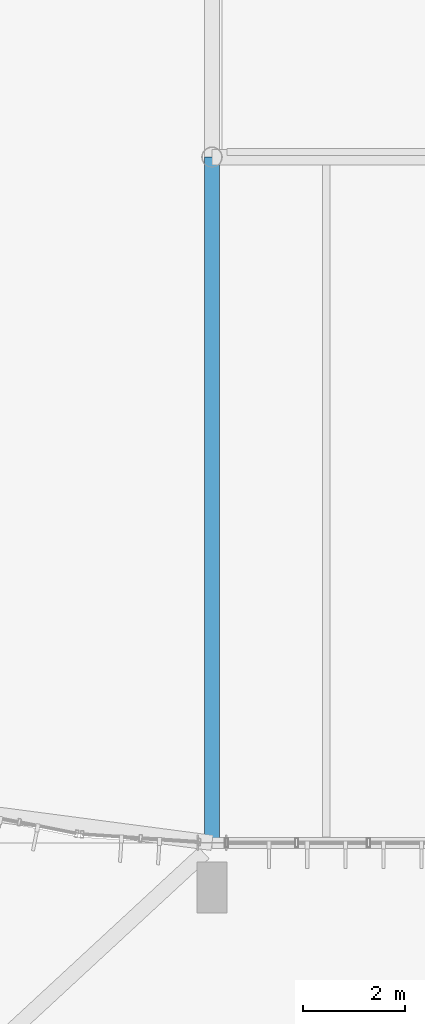
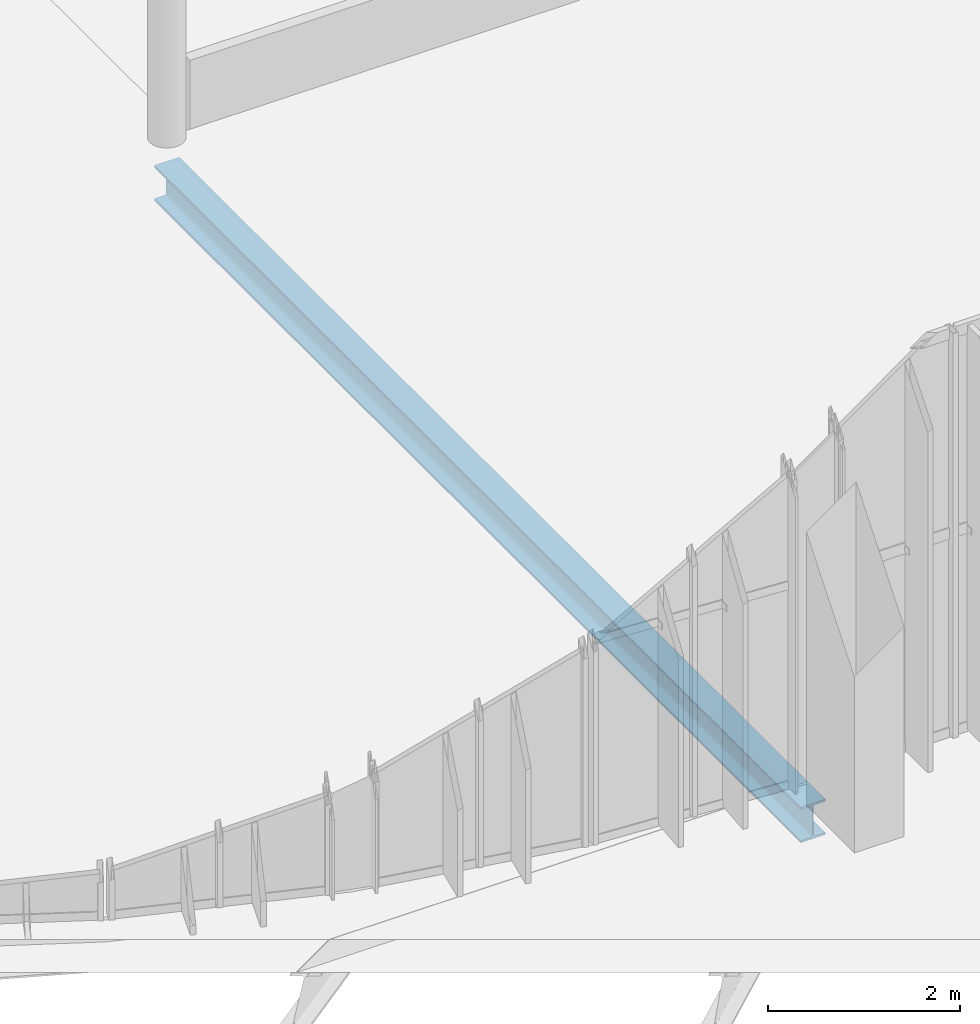
# One storey, part 34 of 158: 1 beam.
"""IFC4 building model written with IfcOpenShell, lengths in metres."""

from ifc_helpers import new_model, si_unit, derived_unit, direction, frame, origin, origin_2d, place, context, subcontext, project, spatial, i_section, extrude, material, material_profile, profile_set, type_object, element, save


model = new_model("IFC4")

# Units and contexts
model_context = context("Model", 3, precision=1e-05, world=origin(), true_north=direction((0.0, 1.0)))
body_context = subcontext(model_context, "Body", "Model", "MODEL_VIEW")
ifc_project = project(units=[si_unit("LENGTHUNIT", "METRE"), si_unit("AREAUNIT", "SQUARE_METRE"), si_unit("VOLUMEUNIT", "CUBIC_METRE"), si_unit("PLANEANGLEUNIT", "RADIAN"), si_unit("MASSUNIT", "GRAM", prefix="KILO"), si_unit("THERMODYNAMICTEMPERATUREUNIT", "KELVIN"), si_unit("TIMEUNIT", "SECOND"), derived_unit("THERMALTRANSMITTANCEUNIT", [(si_unit("MASSUNIT", "GRAM", prefix="KILO"), 1), (si_unit("THERMODYNAMICTEMPERATUREUNIT", "KELVIN"), -1), (si_unit("TIMEUNIT", "SECOND"), -3)])], contexts=[model_context])

# Site, building, storey
site_placement = place(None, origin())
site = spatial("IfcSite", under=ifc_project, at=site_placement, CompositionType="ELEMENT")
building_placement = place(site_placement, origin())
building = spatial("IfcBuilding", under=site, at=building_placement, Name="Cambertide Market Hall", CompositionType="ELEMENT")
storey_placement = place(building_placement, origin())
storey = spatial("IfcBuildingStorey", under=building, at=storey_placement, Name="L01", CompositionType="ELEMENT", Elevation=0.0)

# Beam
ifc_material = material(Name="Steel S355", Category="steel")
ifc_material_profile = material_profile(ifc_material, i_section(OverallWidth=0.300048828125, OverallDepth=0.449951171875, WebThickness=0.013916015625, FlangeThickness=0.02587890625, FilletRadius=0.027099609375, at=origin_2d()), Name="HEB 450")
ifc_profile_set = profile_set([ifc_material_profile], Name="Steel S355")
beam_type = type_object("IfcBeamType", Name="Steel Girder HEB 450", PredefinedType="BEAM", material=ifc_profile_set)
beam_placement = place(storey_placement, frame((42.0, 52.0, -0.534912109375), z_axis=(0.0, 1.0, 0.0), x_axis=(-1.0, 0.0, 0.0)))
element("IfcBeam", 1, at=beam_placement, inside=storey, type_object=beam_type, Name="Level 1 Beam BM-V1TS-L01-1", PredefinedType="BEAM", context=body_context, shape_type="SweptSolid", body=[
    extrude(i_section(OverallWidth=0.300048828125, OverallDepth=0.449951171875, WebThickness=0.013916015625, FlangeThickness=0.02587890625, FilletRadius=0.027099609375, at=origin_2d()), origin(), (0.0, 0.0, 1.0), 13.5),
])

save(model, "model.ifc")
